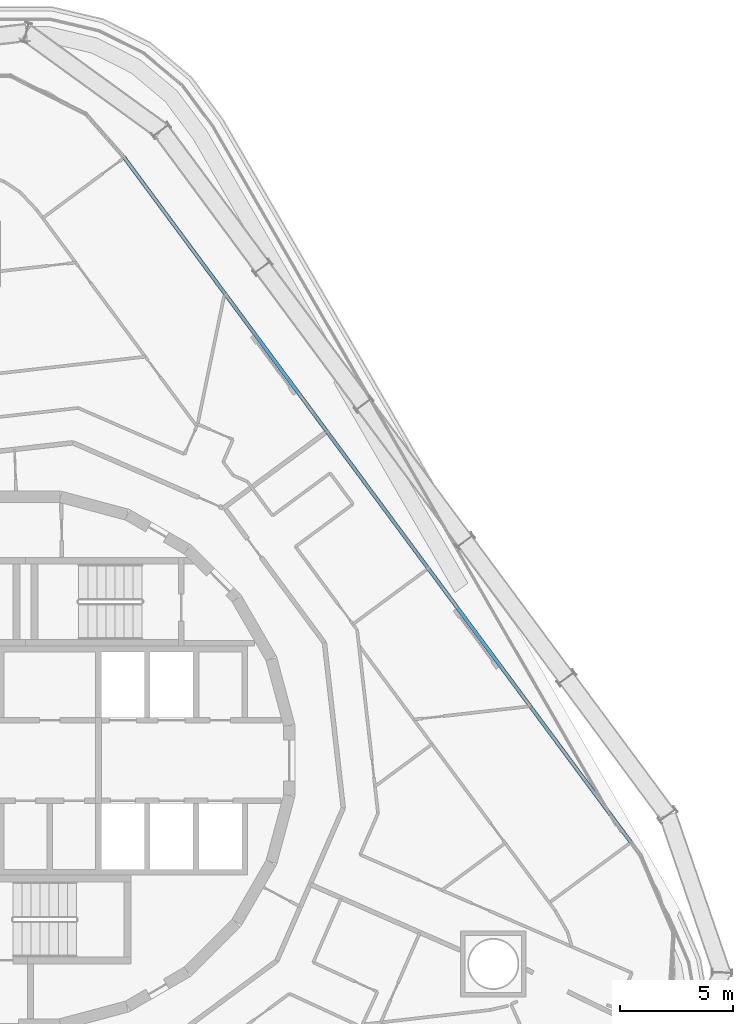
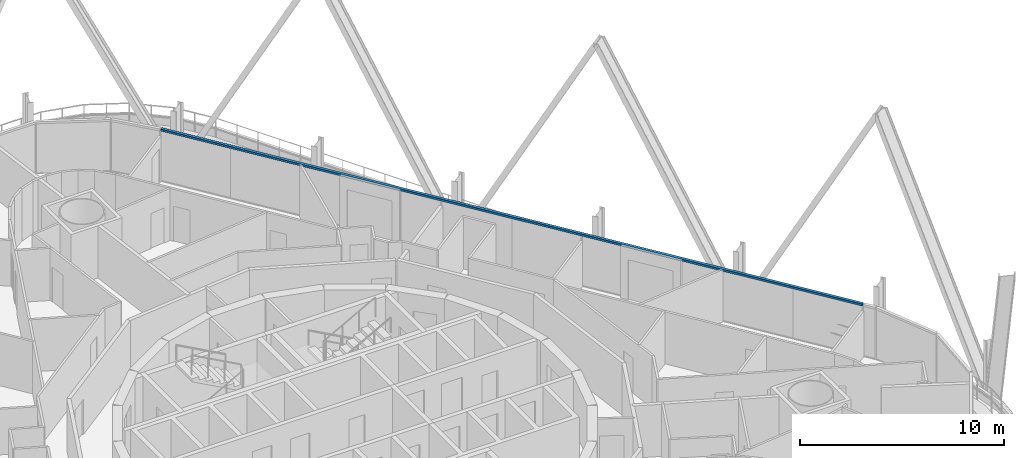
# One storey, part 10 of 32: 1 member, 1 element without a shape of its own.
"""IFC4 building model written with IfcOpenShell, lengths in metres."""

from ifc_helpers import new_model, si_unit, direction, frame, origin, origin_2d, place, context, subcontext, project, spatial, rectangle, extrude, material, layer, layer_set, material_profile, profile_set, type_object, element, aggregate, save


model = new_model("IFC4")

# Units and contexts
model_context = context("Model", 3, precision=1e-05, world=origin(), true_north=direction((0.0, 1.0)))
body_context = subcontext(model_context, "Body", "Model", "MODEL_VIEW")
ifc_project = project(units=[si_unit("LENGTHUNIT", "METRE"), si_unit("AREAUNIT", "SQUARE_METRE"), si_unit("VOLUMEUNIT", "CUBIC_METRE"), si_unit("PLANEANGLEUNIT", "RADIAN"), si_unit("MASSUNIT", "GRAM", prefix="KILO")], contexts=[model_context])

# Site, building, storey
site_placement = place(None, origin())
site = spatial("IfcSite", under=ifc_project, at=site_placement, CompositionType="ELEMENT")
building_placement = place(site_placement, origin())
building = spatial("IfcBuilding", under=site, at=building_placement, Name="Spindle Arch Residences", CompositionType="ELEMENT")
storey_placement = place(building_placement, frame((0.0, 0.0, 76.699951171875)))
storey = spatial("IfcBuildingStorey", under=building, at=storey_placement, Name="L17", CompositionType="ELEMENT", Elevation=76.699951171875)

# Curtain wall, member
ifc_material_1 = material(Name="Aluminium bronze unitised frame with tinted glass", Category="aluminium")
ifc_layer = layer(ifc_material_1, 0.159912109375)
ifc_layer_set = layer_set([ifc_layer], Name="CW-C typical residential unitised wall")
curtain_wall_type = type_object("IfcCurtainWallType", Name="CW-C typical residential unitised wall", PredefinedType="NOTDEFINED", material=ifc_layer_set)
curtain_wall_placement = place(storey_placement, origin())
curtain_wall = element("IfcCurtainWall", 1, at=curtain_wall_placement, inside=storey, type_object=curtain_wall_type, Name="CW-C L17 run 2", PredefinedType="NOTDEFINED")
ifc_material_2 = material(Name="Aluminium bronze anodised transom", Category="aluminium")
ifc_material_profile = material_profile(ifc_material_2, rectangle(XDim=0.159912109375, YDim=0.1201171875, at=origin_2d()), Name="TR 120x160")
ifc_profile_set = profile_set([ifc_material_profile], Name="Aluminium bronze anodised transom")
member_type = type_object("IfcMemberType", Name="Bronze transom 120x160", PredefinedType="USERDEFINED", material=ifc_profile_set)
member_placement = place(storey_placement, frame((26.707763671875, -3.583740234375, 3.06005859375), z_axis=(-0.594822410752, 0.803857138842, 0.0), x_axis=(-0.803857138842, -0.594822410752, 0.0)))
member = element("IfcMember", 2, at=member_placement, type_object=member_type, Name="CW-C transom 00", ObjectType="TRANSOM", PredefinedType="USERDEFINED", context=body_context, shape_type="SweptSolid", body=[
    extrude(rectangle(XDim=0.159912109375, YDim=0.1201171875, at=origin_2d()), origin(), (0.0, 0.0, 1.0), 37.5341796875),
])
aggregate(curtain_wall, [member])

save(model, "model.ifc")
